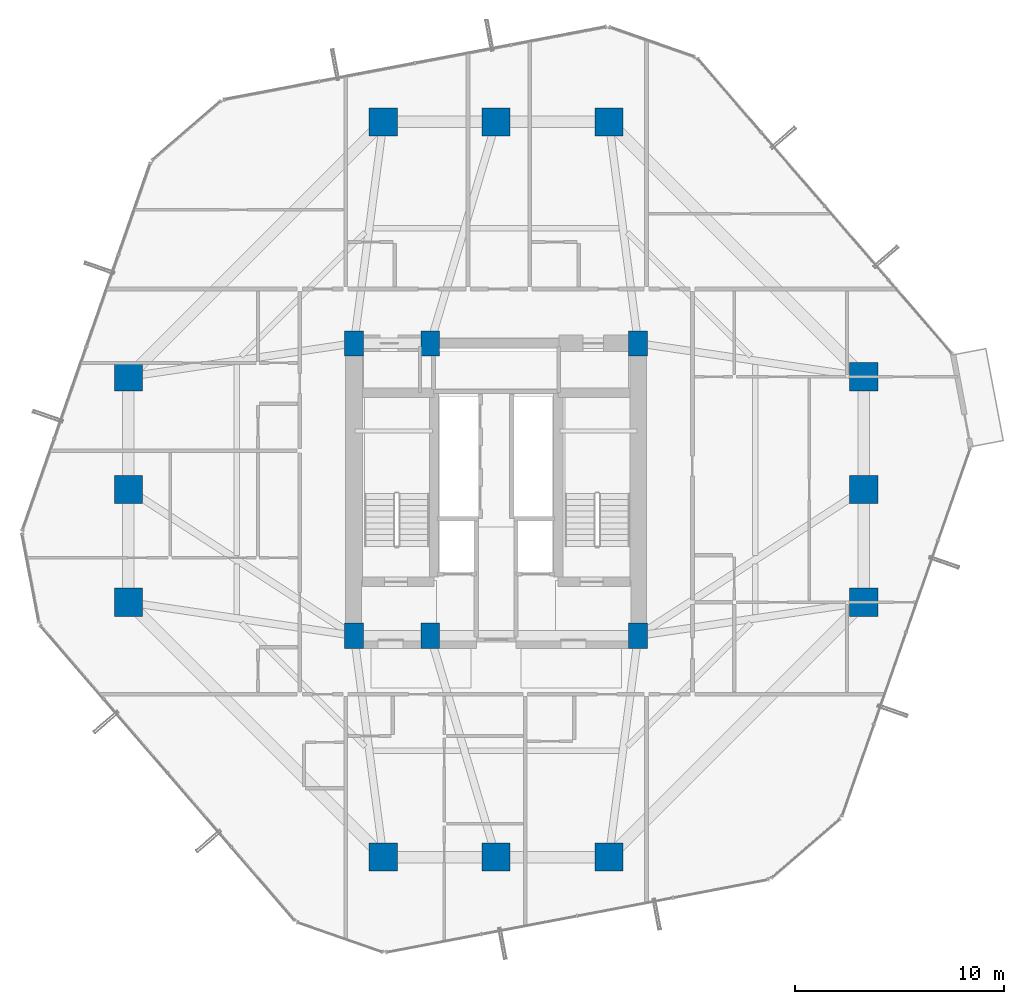
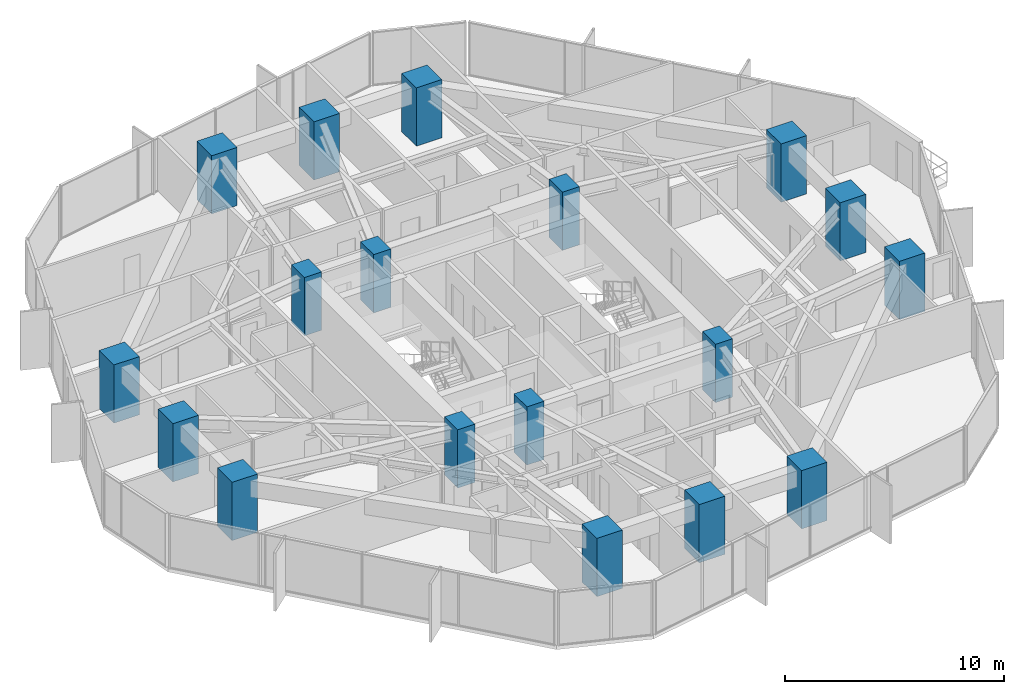
# One storey, part 1 of 38: 18 columns.
"""IFC4 building model written with IfcOpenShell, lengths in metres."""

from ifc_helpers import new_model, si_unit, direction, frame, origin, origin_2d, place, context, subcontext, project, spatial, rectangle, extrude, material, material_profile, profile_set, type_object, element, save


model = new_model("IFC4")

# Units and contexts
model_context = context("Model", 3, precision=1e-05, world=origin(), true_north=direction((0.0, 1.0)))
body_context = subcontext(model_context, "Body", "Model", "MODEL_VIEW")
ifc_project = project(units=[si_unit("LENGTHUNIT", "METRE"), si_unit("AREAUNIT", "SQUARE_METRE"), si_unit("VOLUMEUNIT", "CUBIC_METRE"), si_unit("PLANEANGLEUNIT", "RADIAN"), si_unit("MASSUNIT", "GRAM", prefix="KILO")], contexts=[model_context])

# Site, building, storey
site_placement = place(None, origin())
site = spatial("IfcSite", under=ifc_project, at=site_placement, CompositionType="ELEMENT")
building_placement = place(site_placement, origin())
building = spatial("IfcBuilding", under=site, at=building_placement, Name="Veraguas Prism Commons", CompositionType="ELEMENT")
storey_placement = place(building_placement, frame((0.0, 0.0, 60.85009765625)))
storey = spatial("IfcBuildingStorey", under=building, at=storey_placement, Name="L16", CompositionType="ELEMENT", Elevation=60.85009765625)

# Columns
ifc_material = material(Name="Concrete C60/75", Category="concrete")
ifc_material_profile_1 = material_profile(ifc_material, rectangle(XDim=1.35009765625, YDim=1.35009765625, at=origin_2d()), Name="RC1350X1350")
ifc_profile_set_1 = profile_set([ifc_material_profile_1], Name="Concrete C60/75")
column_type_1 = type_object("IfcColumnType", Name="Column Tube Z1 RC 1350x1350", PredefinedType="COLUMN", material=ifc_profile_set_1)
for number, where, z_axis, x_axis, name in (
    (1, (41.60009765625, 18.60009765625, 0.0), (0.0, 0.0, 1.0), (1.0, 0.0, 0.0), "Tower Perimeter Column L16-TB01"),
    (2, (41.60009765625, 24.0, 0.0), (0.0, 0.0, 1.0), (1.0, 0.0, 0.0), "Tower Perimeter Column L16-TB02"),
    (3, (41.60009765625, 29.39990234375, 0.0), (0.0, 0.0, 1.0), (1.0, 0.0, 0.0), "Tower Perimeter Column L16-TB03"),
    (4, (29.39990234375, 41.60009765625, 0.0), (0.0, 0.0, 1.0), (1.0, 0.0, 0.0), "Tower Perimeter Column L16-TB04"),
    (5, (24.0, 41.60009765625, 0.0), (0.0, 0.0, 1.0), (1.0, 0.0, 0.0), "Tower Perimeter Column L16-TB05"),
    (6, (18.60009765625, 41.60009765625, 0.0), (0.0, 0.0, 1.0), (1.0, 0.0, 0.0), "Tower Perimeter Column L16-TB06"),
    (7, (6.39990234375, 29.39990234375, 0.0), (0.0, 0.0, 1.0), (1.0, 0.0, 0.0), "Tower Perimeter Column L16-TB07"),
    (8, (6.39990234375, 24.0, 0.0), (0.0, 0.0, 1.0), (1.0, 0.0, 0.0), "Tower Perimeter Column L16-TB08"),
    (9, (6.39990234375, 18.60009765625, 0.0), (0.0, 0.0, 1.0), (1.0, 0.0, 0.0), "Tower Perimeter Column L16-TB09"),
    (10, (18.60009765625, 6.39990234375, 0.0), (0.0, 0.0, 1.0), (1.0, 0.0, 0.0), "Tower Perimeter Column L16-TB10"),
    (11, (24.0, 6.39990234375, 0.0), (0.0, 0.0, 1.0), (1.0, 0.0, 0.0), "Tower Perimeter Column L16-TB11"),
    (12, (29.39990234375, 6.39990234375, 0.0), (0.0, 0.0, 1.0), (1.0, 0.0, 0.0), "Tower Perimeter Column L16-TB12"),
):
    element("IfcColumn", number, at=place(storey_placement, frame(where, z_axis=z_axis, x_axis=x_axis)), inside=storey, type_object=column_type_1, Name=name, PredefinedType="COLUMN", context=body_context, shape_type="SweptSolid", body=[
        extrude(rectangle(XDim=1.35009765625, YDim=1.35009765625, at=origin_2d()), origin(), (0.0, 0.0, 1.0), 3.25),
    ])
ifc_material_profile_2 = material_profile(ifc_material, rectangle(XDim=0.89990234375, YDim=1.199951171875, at=origin_2d()), Name="RC900X1200")
ifc_profile_set_2 = profile_set([ifc_material_profile_2], Name="Concrete C60/75")
column_type_2 = type_object("IfcColumnType", Name="Pilaster Core Lower RC 900x1200", PredefinedType="PILASTER", material=ifc_profile_set_2)
for number, where, z_axis, x_axis, name in (
    (13, (17.199951171875, 17.0, 0.0), (0.0, 0.0, 1.0), (1.0, 0.0, 0.0), "Core Pilaster Column L16-CR1"),
    (14, (20.85009765625, 17.0, 0.0), (0.0, 0.0, 1.0), (1.0, 0.0, 0.0), "Core Pilaster Column L16-CR2"),
    (15, (30.800048828125, 17.0, 0.0), (0.0, 0.0, 1.0), (1.0, 0.0, 0.0), "Core Pilaster Column L16-CR3"),
    (16, (17.199951171875, 31.0, 0.0), (0.0, 0.0, 1.0), (1.0, 0.0, 0.0), "Core Pilaster Column L16-CR4"),
    (17, (20.85009765625, 31.0, 0.0), (0.0, 0.0, 1.0), (1.0, 0.0, 0.0), "Core Pilaster Column L16-CR5"),
    (18, (30.800048828125, 31.0, 0.0), (0.0, 0.0, 1.0), (1.0, 0.0, 0.0), "Core Pilaster Column L16-CR6"),
):
    element("IfcColumn", number, at=place(storey_placement, frame(where, z_axis=z_axis, x_axis=x_axis)), inside=storey, type_object=column_type_2, Name=name, PredefinedType="PILASTER", context=body_context, shape_type="SweptSolid", body=[
        extrude(rectangle(XDim=0.89990234375, YDim=1.199951171875, at=origin_2d()), origin(), (0.0, 0.0, 1.0), 3.25),
    ])

save(model, "model.ifc")
